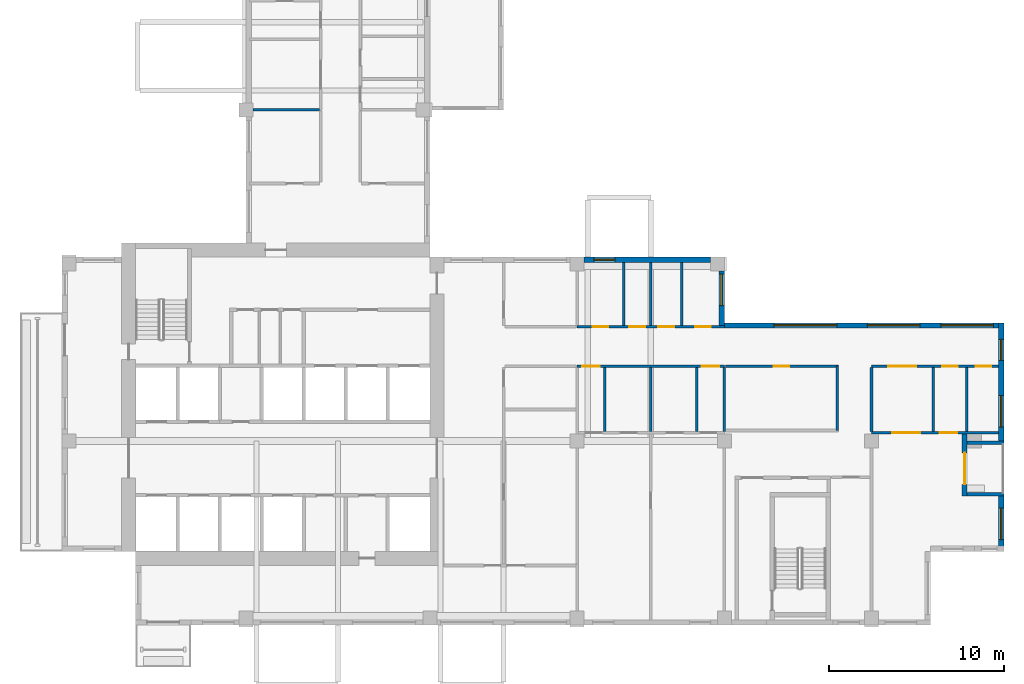
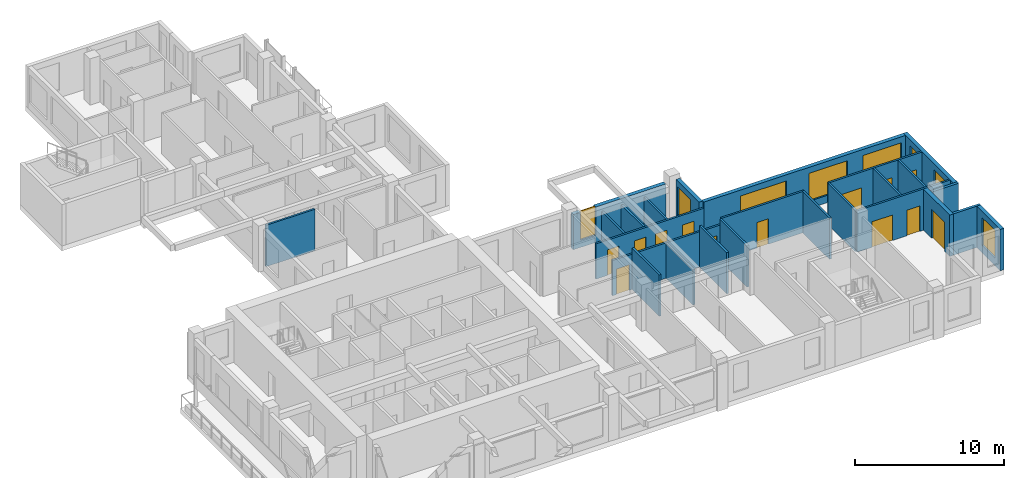
# One storey, part 5 of 12: 25 walls, 13 doors, 8 windows, 21 openings.
"""IFC4 building model written with IfcOpenShell, lengths in metres."""

from ifc_helpers import new_model, si_unit, direction, frame, frame_2d, origin, place, context, subcontext, project, spatial, rectangle, extrude, source, transform, mapped, material, layer, layer_set, type_object, element, fill, save


model = new_model("IFC4")

# Units and contexts
model_context = context("Model", 3, precision=1e-05, world=origin(), true_north=direction((0.0, 1.0)))
body_context = subcontext(model_context, "Body", "Model", "MODEL_VIEW")
ifc_project = project(units=[si_unit("LENGTHUNIT", "METRE"), si_unit("AREAUNIT", "SQUARE_METRE"), si_unit("VOLUMEUNIT", "CUBIC_METRE"), si_unit("PLANEANGLEUNIT", "RADIAN"), si_unit("MASSUNIT", "GRAM", prefix="KILO")], contexts=[model_context])

# Site, building, storey
site_placement = place(None, origin())
site = spatial("IfcSite", under=ifc_project, at=site_placement, CompositionType="ELEMENT")
building_placement = place(site_placement, origin())
building = spatial("IfcBuilding", under=site, at=building_placement, Name="Aurelian Terraces", CompositionType="ELEMENT")
storey_placement = place(building_placement, frame((0.0, 0.0, 238.6)))
storey = spatial("IfcBuildingStorey", under=building, at=storey_placement, Name="L54", CompositionType="ELEMENT", Elevation=238.6)

# Walls
ifc_material_1 = material(Name="Gypsum board on steel studs", Category="steel")
ifc_layer_1 = layer(ifc_material_1, 0.15)
ifc_layer_set_1 = layer_set([ifc_layer_1], Name="Partition 150")
wall_type_1 = type_object("IfcWallType", Name="Partition 150", PredefinedType="PARTITIONING", material=ifc_layer_set_1)
wall_1_placement = place(storey_placement, frame((44.25, 11.1, 0.0), z_axis=(0.0, 0.0, 1.0), x_axis=(0.0, 1.0, 0.0)))
element("IfcWall", 1, at=wall_1_placement, inside=storey, type_object=wall_type_1, Name="Partition", PredefinedType="PARTITIONING", context=body_context, shape_type="SweptSolid", body=[
    extrude(rectangle(XDim=3.675, YDim=0.15, at=frame_2d((1.8375, 0.0))), origin(), (0.0, 0.0, 1.0), 3.4),
])
wall_2_placement = place(storey_placement, frame((30.975, 11.05, 0.0), z_axis=(0.0, 0.0, 1.0), x_axis=(0.0, 1.0, 0.0)))
element("IfcWall", 2, at=wall_2_placement, inside=storey, type_object=wall_type_1, Name="Partition", PredefinedType="PARTITIONING", context=body_context, shape_type="SweptSolid", body=[
    extrude(rectangle(XDim=3.65, YDim=0.15, at=frame_2d((1.825, 0.0))), origin(), (0.0, 0.0, 1.0), 3.4),
])
wall_3_placement = place(storey_placement, frame((33.6, 11.05, 0.0), z_axis=(0.0, 0.0, 1.0), x_axis=(0.0, 1.0, 0.0)))
element("IfcWall", 3, at=wall_3_placement, inside=storey, type_object=wall_type_1, Name="Partition", PredefinedType="PARTITIONING", context=body_context, shape_type="SweptSolid", body=[
    extrude(rectangle(XDim=3.65, YDim=0.15, at=frame_2d((1.825, 0.0))), origin(), (0.0, 0.0, 1.0), 2.9),
])

# Wall, opening, window
ifc_material_2 = material(Name="Terracotta rainscreen cladding", Category="masonry")
ifc_layer_2 = layer(ifc_material_2, 0.3)
ifc_layer_set_2 = layer_set([ifc_layer_2], Name="EW-300")
wall_type_2 = type_object("IfcWallType", Name="EW-300", PredefinedType="STANDARD", material=ifc_layer_set_2)
shared_shape_1 = source(origin(), body_context, "Body", "SweptSolid", [
    extrude(rectangle(XDim=3.15, YDim=0.3, at=frame_2d((1.575, 0.0))), origin(), (0.0, 0.0, 1.0), 3.4),
])
wall_4_placement = place(storey_placement, frame((53.61, 4.2, 0.0), z_axis=(0.0, 0.0, 1.0), x_axis=(0.0, 1.0, 0.0)))
wall_4 = element("IfcWall", 4, at=wall_4_placement, inside=storey, type_object=wall_type_2, Name="External wall L54 F04.11", PredefinedType="STANDARD", context=body_context, shape_type="MappedRepresentation", body=[
    mapped(shared_shape_1, transform((0.0, 0.0, 0.0), scale=1.0)),
])
shared_shape_2 = source(origin(), body_context, "Body", "SweptSolid", [
    extrude(rectangle(XDim=1.8, YDim=2.3, at=frame_2d((0.9, 1.15))), frame((0.0, 0.16, 0.0), z_axis=(0.0, -1.0, 0.0), x_axis=(1.0, 0.0, 0.0)), (0.0, 0.0, 1.0), 0.32),
])
opening_1_placement = place(wall_4_placement, frame((0.675, 0.0, 0.6)))
opening_1 = element("IfcOpeningElement", 5, at=opening_1_placement, cuts=wall_4, Name="Opening W1823", PredefinedType="OPENING", context=body_context, shape_type="MappedRepresentation", body=[
    mapped(shared_shape_2, transform((0.0, 0.0, 0.0), scale=1.0)),
])
ifc_material_3 = material(Name="Clear glazing", Category="glass")
window_type_1 = type_object("IfcWindowType", Name="W-1800x2300", PartitioningType="SINGLE_PANEL", PredefinedType="WINDOW", material=ifc_material_3)
shared_shape_3 = source(origin(), body_context, "Body", "SweptSolid", [
    extrude(rectangle(XDim=1.8, YDim=2.3, at=frame_2d((0.9, 1.15))), frame((0.0, 0.03, 0.0), z_axis=(0.0, -1.0, 0.0), x_axis=(1.0, 0.0, 0.0)), (0.0, 0.0, 1.0), 0.06),
])
window_1_placement = place(opening_1_placement, origin())
window_1 = element("IfcWindow", 6, at=window_1_placement, inside=storey, type_object=window_type_1, Name="Window L54 L54-F04-11-0", OverallHeight=2.3, OverallWidth=1.8, PartitioningType="SINGLE_PANEL", PredefinedType="WINDOW", context=body_context, shape_type="MappedRepresentation", body=[
    mapped(shared_shape_3, transform((0.0, 0.0, 0.0), scale=1.0)),
])
fill(opening_1, window_1)

# Wall, openings, windows
shared_shape_4 = source(origin(), body_context, "Body", "SweptSolid", [
    extrude(rectangle(XDim=6.75, YDim=0.3, at=frame_2d((3.375, 0.0))), origin(), (0.0, 0.0, 1.0), 3.4),
])
wall_5_placement = place(storey_placement, frame((53.61, 10.5, 0.0), z_axis=(0.0, 0.0, 1.0), x_axis=(0.0, 1.0, 0.0)))
wall_5 = element("IfcWall", 7, at=wall_5_placement, inside=storey, type_object=wall_type_2, Name="External wall L54 F04.13", PredefinedType="STANDARD", context=body_context, shape_type="MappedRepresentation", body=[
    mapped(shared_shape_4, transform((0.0, 0.0, 0.0), scale=1.0)),
])
opening_2_placement = place(wall_5_placement, frame((0.7875, 0.0, 0.6)))
opening_2 = element("IfcOpeningElement", 8, at=opening_2_placement, cuts=wall_5, Name="Opening W1823", PredefinedType="OPENING", context=body_context, shape_type="MappedRepresentation", body=[
    mapped(shared_shape_2, transform((0.0, 0.0, 0.0), scale=1.0)),
])
shared_shape_5 = source(origin(), body_context, "Body", "SweptSolid", [
    extrude(rectangle(XDim=1.2, YDim=2.3, at=frame_2d((0.6, 1.15))), frame((0.0, 0.16, 0.0), z_axis=(0.0, -1.0, 0.0), x_axis=(1.0, 0.0, 0.0)), (0.0, 0.0, 1.0), 0.32),
])
opening_3_placement = place(wall_5_placement, frame((4.6063, 0.0, 0.6)))
opening_3 = element("IfcOpeningElement", 9, at=opening_3_placement, cuts=wall_5, Name="Opening W1223", PredefinedType="OPENING", context=body_context, shape_type="MappedRepresentation", body=[
    mapped(shared_shape_5, transform((0.0, 0.0, 0.0), scale=1.0)),
])
window_type_2 = type_object("IfcWindowType", Name="W-1200x2300", PartitioningType="SINGLE_PANEL", PredefinedType="WINDOW", material=ifc_material_3)
shared_shape_6 = source(origin(), body_context, "Body", "SweptSolid", [
    extrude(rectangle(XDim=1.2, YDim=2.3, at=frame_2d((0.6, 1.15))), frame((0.0, 0.03, 0.0), z_axis=(0.0, -1.0, 0.0), x_axis=(1.0, 0.0, 0.0)), (0.0, 0.0, 1.0), 0.06),
])
window_2_placement = place(opening_3_placement, origin())
window_2 = element("IfcWindow", 10, at=window_2_placement, inside=storey, type_object=window_type_2, Name="Window L54 L54-F04-13-1", OverallHeight=2.3, OverallWidth=1.2, PartitioningType="SINGLE_PANEL", PredefinedType="WINDOW", context=body_context, shape_type="MappedRepresentation", body=[
    mapped(shared_shape_6, transform((0.0, 0.0, 0.0), scale=1.0)),
])
fill(opening_3, window_2)
window_3_placement = place(opening_2_placement, origin())
window_3 = element("IfcWindow", 11, at=window_3_placement, inside=storey, type_object=window_type_1, Name="Window L54 L54-F04-13-0", OverallHeight=2.3, OverallWidth=1.8, PartitioningType="SINGLE_PANEL", PredefinedType="WINDOW", context=body_context, shape_type="MappedRepresentation", body=[
    mapped(shared_shape_3, transform((0.0, 0.0, 0.0), scale=1.0)),
])
fill(opening_2, window_3)

# Walls
ifc_layer_3 = layer(ifc_material_2, 0.2)
ifc_layer_set_3 = layer_set([ifc_layer_3], Name="EW-200")
wall_type_3 = type_object("IfcWallType", Name="EW-200", PredefinedType="STANDARD", material=ifc_layer_set_3)
shared_shape_7 = source(origin(), body_context, "Body", "SweptSolid", [
    extrude(rectangle(XDim=2.1, YDim=0.2, at=frame_2d((1.05, 0.0))), origin(), (0.0, 0.0, 1.0), 3.4),
])
for number, where, z_axis, x_axis, name in (
    (12, (53.76, 7.45, 0.0), (0.0, 0.0, 1.0), (-1.0, 0.0, 0.0), "Loggia return L54 F04.12.1"),
    (13, (53.76, 10.4, 0.0), (0.0, 0.0, 1.0), (-1.0, 0.0, 0.0), "Loggia return L54 F04.12.2"),
):
    element("IfcWall", number, at=place(storey_placement, frame(where, z_axis=z_axis, x_axis=x_axis)), inside=storey, type_object=wall_type_3, Name=name, PredefinedType="STANDARD", context=body_context, shape_type="MappedRepresentation", body=[
        mapped(shared_shape_7, transform((0.0, 0.0, 0.0), scale=1.0)),
    ])

# Wall, openings, windows
shared_shape_8 = source(origin(), body_context, "Body", "SweptSolid", [
    extrude(rectangle(XDim=15.96, YDim=0.3, at=frame_2d((7.98, 0.0))), origin(), (0.0, 0.0, 1.0), 3.4),
])
wall_6_placement = place(storey_placement, frame((53.76, 17.1, 0.0), z_axis=(0.0, 0.0, 1.0), x_axis=(-1.0, 0.0, 0.0)))
wall_6 = element("IfcWall", 14, at=wall_6_placement, inside=storey, type_object=wall_type_2, Name="External wall L54 F05.14", PredefinedType="STANDARD", context=body_context, shape_type="MappedRepresentation", body=[
    mapped(shared_shape_8, transform((0.0, 0.0, 0.0), scale=1.0)),
])
shared_shape_9 = source(origin(), body_context, "Body", "SweptSolid", [
    extrude(rectangle(XDim=3.0, YDim=2.3, at=frame_2d((1.5, 1.15))), frame((0.0, 0.16, 0.0), z_axis=(0.0, -1.0, 0.0), x_axis=(1.0, 0.0, 0.0)), (0.0, 0.0, 1.0), 0.32),
])
opening_4_placement = place(wall_6_placement, frame((0.6, 0.0, 0.6)))
opening_4 = element("IfcOpeningElement", 15, at=opening_4_placement, cuts=wall_6, Name="Opening W3023", PredefinedType="OPENING", context=body_context, shape_type="MappedRepresentation", body=[
    mapped(shared_shape_9, transform((0.0, 0.0, 0.0), scale=1.0)),
])
opening_5_placement = place(wall_6_placement, frame((4.8, 0.0, 0.6)))
opening_5 = element("IfcOpeningElement", 16, at=opening_5_placement, cuts=wall_6, Name="Opening W3023", PredefinedType="OPENING", context=body_context, shape_type="MappedRepresentation", body=[
    mapped(shared_shape_9, transform((0.0, 0.0, 0.0), scale=1.0)),
])
shared_shape_10 = source(origin(), body_context, "Body", "SweptSolid", [
    extrude(rectangle(XDim=3.6, YDim=2.3, at=frame_2d((1.8, 1.15))), frame((0.0, 0.16, 0.0), z_axis=(0.0, -1.0, 0.0), x_axis=(1.0, 0.0, 0.0)), (0.0, 0.0, 1.0), 0.32),
])
opening_6_placement = place(wall_6_placement, frame((9.54, 0.0, 0.6)))
opening_6 = element("IfcOpeningElement", 17, at=opening_6_placement, cuts=wall_6, Name="Opening W3623", PredefinedType="OPENING", context=body_context, shape_type="MappedRepresentation", body=[
    mapped(shared_shape_10, transform((0.0, 0.0, 0.0), scale=1.0)),
])
window_type_3 = type_object("IfcWindowType", Name="W-3600x2300", PartitioningType="SINGLE_PANEL", PredefinedType="WINDOW", material=ifc_material_3)
shared_shape_11 = source(origin(), body_context, "Body", "SweptSolid", [
    extrude(rectangle(XDim=3.6, YDim=2.3, at=frame_2d((1.8, 1.15))), frame((0.0, 0.03, 0.0), z_axis=(0.0, -1.0, 0.0), x_axis=(1.0, 0.0, 0.0)), (0.0, 0.0, 1.0), 0.06),
])
window_4_placement = place(opening_6_placement, origin())
window_4 = element("IfcWindow", 18, at=window_4_placement, inside=storey, type_object=window_type_3, Name="Window L54 L54-F05-14-2", OverallHeight=2.3, OverallWidth=3.6, PartitioningType="SINGLE_PANEL", PredefinedType="WINDOW", context=body_context, shape_type="MappedRepresentation", body=[
    mapped(shared_shape_11, transform((0.0, 0.0, 0.0), scale=1.0)),
])
fill(opening_6, window_4)
window_type_4 = type_object("IfcWindowType", Name="W-3000x2300", PartitioningType="SINGLE_PANEL", PredefinedType="WINDOW", material=ifc_material_3)
shared_shape_12 = source(origin(), body_context, "Body", "SweptSolid", [
    extrude(rectangle(XDim=3.0, YDim=2.3, at=frame_2d((1.5, 1.15))), frame((0.0, 0.03, 0.0), z_axis=(0.0, -1.0, 0.0), x_axis=(1.0, 0.0, 0.0)), (0.0, 0.0, 1.0), 0.06),
])
window_5_placement = place(opening_4_placement, origin())
window_5 = element("IfcWindow", 19, at=window_5_placement, inside=storey, type_object=window_type_4, Name="Window L54 L54-F05-14-0", OverallHeight=2.3, OverallWidth=3.0, PartitioningType="SINGLE_PANEL", PredefinedType="WINDOW", context=body_context, shape_type="MappedRepresentation", body=[
    mapped(shared_shape_12, transform((0.0, 0.0, 0.0), scale=1.0)),
])
fill(opening_4, window_5)
window_6_placement = place(opening_5_placement, origin())
window_6 = element("IfcWindow", 20, at=window_6_placement, inside=storey, type_object=window_type_4, Name="Window L54 L54-F05-14-1", OverallHeight=2.3, OverallWidth=3.0, PartitioningType="SINGLE_PANEL", PredefinedType="WINDOW", context=body_context, shape_type="MappedRepresentation", body=[
    mapped(shared_shape_12, transform((0.0, 0.0, 0.0), scale=1.0)),
])
fill(opening_5, window_6)

# Wall, opening, window
shared_shape_13 = source(origin(), body_context, "Body", "SweptSolid", [
    extrude(rectangle(XDim=3.1, YDim=0.3, at=frame_2d((1.55, 0.0))), origin(), (0.0, 0.0, 1.0), 3.4),
])
wall_7_placement = place(storey_placement, frame((37.65, 17.1, 0.0), z_axis=(0.0, 0.0, 1.0), x_axis=(0.0, 1.0, 0.0)))
wall_7 = element("IfcWall", 21, at=wall_7_placement, inside=storey, type_object=wall_type_2, Name="External wall L54 F06.15", PredefinedType="STANDARD", context=body_context, shape_type="MappedRepresentation", body=[
    mapped(shared_shape_13, transform((0.0, 0.0, 0.0), scale=1.0)),
])
opening_7_placement = place(wall_7_placement, frame((1.125, 0.0, 0.6)))
opening_7 = element("IfcOpeningElement", 22, at=opening_7_placement, cuts=wall_7, Name="Opening W1823", PredefinedType="OPENING", context=body_context, shape_type="MappedRepresentation", body=[
    mapped(shared_shape_2, transform((0.0, 0.0, 0.0), scale=1.0)),
])
window_7_placement = place(opening_7_placement, origin())
window_7 = element("IfcWindow", 23, at=window_7_placement, inside=storey, type_object=window_type_1, Name="Window L54 L54-F06-15-0", OverallHeight=2.3, OverallWidth=1.8, PartitioningType="SINGLE_PANEL", PredefinedType="WINDOW", context=body_context, shape_type="MappedRepresentation", body=[
    mapped(shared_shape_3, transform((0.0, 0.0, 0.0), scale=1.0)),
])
fill(opening_7, window_7)

# Wall, opening, door
shared_shape_14 = source(origin(), body_context, "Body", "SweptSolid", [
    extrude(rectangle(XDim=3.55, YDim=0.3, at=frame_2d((1.775, 0.0))), origin(), (0.0, 0.0, 1.0), 3.4),
])
wall_8_placement = place(storey_placement, frame((51.51, 7.35, 0.0), z_axis=(0.0, 0.0, 1.0), x_axis=(0.0, 1.0, 0.0)))
wall_8 = element("IfcWall", 24, at=wall_8_placement, inside=storey, type_object=wall_type_2, Name="Loggia wall L54 F04.12", PredefinedType="STANDARD", context=body_context, shape_type="MappedRepresentation", body=[
    mapped(shared_shape_14, transform((0.0, 0.0, 0.0), scale=1.0)),
])
shared_shape_15 = source(origin(), body_context, "Body", "SweptSolid", [
    extrude(rectangle(XDim=1.8, YDim=2.4, at=frame_2d((0.9, 1.2))), frame((0.0, 0.16, 0.0), z_axis=(0.0, -1.0, 0.0), x_axis=(1.0, 0.0, 0.0)), (0.0, 0.0, 1.0), 0.32),
])
opening_8_placement = place(wall_8_placement, frame((0.675, 0.0, 0.0)))
opening_8 = element("IfcOpeningElement", 25, at=opening_8_placement, cuts=wall_8, Name="Opening 85402", PredefinedType="OPENING", context=body_context, shape_type="MappedRepresentation", body=[
    mapped(shared_shape_15, transform((0.0, 0.0, 0.0), scale=1.0)),
])
door_type_1 = type_object("IfcDoorType", Name="BD-1800x2400", OperationType="SLIDING_TO_LEFT", PredefinedType="DOOR", material=ifc_material_3)
shared_shape_16 = source(origin(), body_context, "Body", "SweptSolid", [
    extrude(rectangle(XDim=1.8, YDim=2.4, at=frame_2d((0.9, 1.2))), frame((0.0, 0.025, 0.0), z_axis=(0.0, -1.0, 0.0), x_axis=(1.0, 0.0, 0.0)), (0.0, 0.0, 1.0), 0.05),
])
door_1_placement = place(opening_8_placement, origin())
door_1 = element("IfcDoor", 26, at=door_1_placement, inside=storey, type_object=door_type_1, Name="Balcony door L54 F04.12", OperationType="SLIDING_TO_LEFT", OverallHeight=2.4, OverallWidth=1.8, PredefinedType="DOOR", context=body_context, shape_type="MappedRepresentation", body=[
    mapped(shared_shape_16, transform((0.0, 0.0, 0.0), scale=1.0)),
])
fill(opening_8, door_1)

# Wall, opening, window
shared_shape_17 = source(origin(), body_context, "Body", "SweptSolid", [
    extrude(rectangle(XDim=7.2, YDim=0.3, at=frame_2d((3.6, 0.0))), origin(), (0.0, 0.0, 1.0), 2.9),
])
wall_9_placement = place(storey_placement, frame((37.0, 20.85, 0.0), z_axis=(0.0, 0.0, 1.0), x_axis=(-1.0, 0.0, 0.0)))
wall_9 = element("IfcWall", 27, at=wall_9_placement, inside=storey, type_object=wall_type_2, Name="External wall L54 F07.16", PredefinedType="STANDARD", context=body_context, shape_type="MappedRepresentation", body=[
    mapped(shared_shape_17, transform((0.0, 0.0, 0.0), scale=1.0)),
])
opening_9_placement = place(wall_9_placement, frame((5.454, 0.0, 0.6)))
opening_9 = element("IfcOpeningElement", 28, at=opening_9_placement, cuts=wall_9, Name="Opening W1223", PredefinedType="OPENING", context=body_context, shape_type="MappedRepresentation", body=[
    mapped(shared_shape_5, transform((0.0, 0.0, 0.0), scale=1.0)),
])
window_8_placement = place(opening_9_placement, origin())
window_8 = element("IfcWindow", 29, at=window_8_placement, inside=storey, type_object=window_type_2, Name="Window L54 L54-F07-16-1", OverallHeight=2.3, OverallWidth=1.2, PartitioningType="SINGLE_PANEL", PredefinedType="WINDOW", context=body_context, shape_type="MappedRepresentation", body=[
    mapped(shared_shape_6, transform((0.0, 0.0, 0.0), scale=1.0)),
])
fill(opening_9, window_8)

# Wall, opening, door
ifc_layer_4 = layer(ifc_material_1, 0.15)
ifc_layer_set_4 = layer_set([ifc_layer_4], Name="Fire partition 150")
wall_type_4 = type_object("IfcWallType", Name="Fire partition 150", PredefinedType="PARTITIONING", material=ifc_layer_set_4)
shared_shape_18 = source(origin(), body_context, "Body", "SweptSolid", [
    extrude(rectangle(XDim=6.45, YDim=0.15, at=frame_2d((3.225, 0.0))), origin(), (0.0, 0.0, 1.0), 3.4),
])
wall_10_placement = place(storey_placement, frame((44.325, 14.775, 0.0), z_axis=(0.0, 0.0, 1.0), x_axis=(-1.0, 0.0, 0.0)))
wall_10 = element("IfcWall", 30, at=wall_10_placement, inside=storey, type_object=wall_type_4, Name="Corridor wall", PredefinedType="PARTITIONING", context=body_context, shape_type="MappedRepresentation", body=[
    mapped(shared_shape_18, transform((0.0, 0.0, 0.0), scale=1.0)),
])
shared_shape_19 = source(origin(), body_context, "Body", "SweptSolid", [
    extrude(rectangle(XDim=0.9, YDim=2.1, at=frame_2d((0.45, 1.05))), frame((0.0, 0.085, 0.0), z_axis=(0.0, -1.0, 0.0), x_axis=(1.0, 0.0, 0.0)), (0.0, 0.0, 1.0), 0.17),
])
opening_10_placement = place(wall_10_placement, frame((2.8125, 0.0, 0.0)))
opening_10 = element("IfcOpeningElement", 31, at=opening_10_placement, cuts=wall_10, Name="Opening 754005", PredefinedType="OPENING", context=body_context, shape_type="MappedRepresentation", body=[
    mapped(shared_shape_19, transform((0.0, 0.0, 0.0), scale=1.0)),
])
ifc_material_4 = material(Name="Timber door leaf", Category="wood")
door_type_2 = type_object("IfcDoorType", Name="Room door 900x2100 right", OperationType="SINGLE_SWING_RIGHT", PredefinedType="DOOR", material=ifc_material_4)
shared_shape_20 = source(origin(), body_context, "Body", "SweptSolid", [
    extrude(rectangle(XDim=0.9, YDim=2.1, at=frame_2d((0.45, 1.05))), frame((0.0, 0.025, 0.0), z_axis=(0.0, -1.0, 0.0), x_axis=(1.0, 0.0, 0.0)), (0.0, 0.0, 1.0), 0.05),
])
door_2_placement = place(opening_10_placement, origin())
door_2 = element("IfcDoor", 32, at=door_2_placement, inside=storey, type_object=door_type_2, Name="Door 754005", OperationType="SINGLE_SWING_RIGHT", OverallHeight=2.1, OverallWidth=0.9, PredefinedType="DOOR", context=body_context, shape_type="MappedRepresentation", body=[
    mapped(shared_shape_20, transform((0.0, 0.0, 0.0), scale=1.0)),
])
fill(opening_10, door_2)

# Wall, openings, doors
shared_shape_21 = source(origin(), body_context, "Body", "SweptSolid", [
    extrude(rectangle(XDim=7.26, YDim=0.15, at=frame_2d((3.63, 0.0))), origin(), (0.0, 0.0, 1.0), 3.4),
])
wall_11_placement = place(storey_placement, frame((53.46, 10.975, 0.0), z_axis=(0.0, 0.0, 1.0), x_axis=(-1.0, 0.0, 0.0)))
wall_11 = element("IfcWall", 33, at=wall_11_placement, inside=storey, type_object=wall_type_1, Name="Partition", PredefinedType="PARTITIONING", context=body_context, shape_type="MappedRepresentation", body=[
    mapped(shared_shape_21, transform((0.0, 0.0, 0.0), scale=1.0)),
])
shared_shape_22 = source(origin(), body_context, "Body", "SweptSolid", [
    extrude(rectangle(XDim=1.6, YDim=2.1, at=frame_2d((0.8, 1.05))), frame((0.0, 0.085, 0.0), z_axis=(0.0, -1.0, 0.0), x_axis=(1.0, 0.0, 0.0)), (0.0, 0.0, 1.0), 0.17),
])
opening_11_placement = place(wall_11_placement, frame((4.4911, 0.0, 0.0)))
opening_11 = element("IfcOpeningElement", 34, at=opening_11_placement, cuts=wall_11, Name="Opening 754015", PredefinedType="OPENING", context=body_context, shape_type="MappedRepresentation", body=[
    mapped(shared_shape_22, transform((0.0, 0.0, 0.0), scale=1.0)),
])
shared_shape_23 = source(origin(), body_context, "Body", "SweptSolid", [
    extrude(rectangle(XDim=1.0, YDim=2.1, at=frame_2d((0.5, 1.05))), frame((0.0, 0.085, 0.0), z_axis=(0.0, -1.0, 0.0), x_axis=(1.0, 0.0, 0.0)), (0.0, 0.0, 1.0), 0.17),
])
opening_12_placement = place(wall_11_placement, frame((2.3722, 0.0, 0.0)))
opening_12 = element("IfcOpeningElement", 35, at=opening_12_placement, cuts=wall_11, Name="Opening 754016", PredefinedType="OPENING", context=body_context, shape_type="MappedRepresentation", body=[
    mapped(shared_shape_23, transform((0.0, 0.0, 0.0), scale=1.0)),
])
door_type_3 = type_object("IfcDoorType", Name="Room door 1000x2100 left", OperationType="SINGLE_SWING_LEFT", PredefinedType="DOOR", material=ifc_material_4)
shared_shape_24 = source(origin(), body_context, "Body", "SweptSolid", [
    extrude(rectangle(XDim=1.0, YDim=2.1, at=frame_2d((0.5, 1.05))), frame((0.0, 0.025, 0.0), z_axis=(0.0, -1.0, 0.0), x_axis=(1.0, 0.0, 0.0)), (0.0, 0.0, 1.0), 0.05),
])
door_3_placement = place(opening_12_placement, origin())
door_3 = element("IfcDoor", 36, at=door_3_placement, inside=storey, type_object=door_type_3, Name="Door 754016", OperationType="SINGLE_SWING_LEFT", OverallHeight=2.1, OverallWidth=1.0, PredefinedType="DOOR", context=body_context, shape_type="MappedRepresentation", body=[
    mapped(shared_shape_24, transform((0.0, 0.0, 0.0), scale=1.0)),
])
fill(opening_12, door_3)
door_type_4 = type_object("IfcDoorType", Name="Room door 1600x2100 right", OperationType="SINGLE_SWING_RIGHT", PredefinedType="DOOR", material=ifc_material_4)
shared_shape_25 = source(origin(), body_context, "Body", "SweptSolid", [
    extrude(rectangle(XDim=1.6, YDim=2.1, at=frame_2d((0.8, 1.05))), frame((0.0, 0.025, 0.0), z_axis=(0.0, -1.0, 0.0), x_axis=(1.0, 0.0, 0.0)), (0.0, 0.0, 1.0), 0.05),
])
door_4_placement = place(opening_11_placement, origin())
door_4 = element("IfcDoor", 37, at=door_4_placement, inside=storey, type_object=door_type_4, Name="Door 754015", OperationType="SINGLE_SWING_RIGHT", OverallHeight=2.1, OverallWidth=1.6, PredefinedType="DOOR", context=body_context, shape_type="MappedRepresentation", body=[
    mapped(shared_shape_25, transform((0.0, 0.0, 0.0), scale=1.0)),
])
fill(opening_11, door_4)

wall_12_placement = place(storey_placement, frame((53.46, 14.775, 0.0), z_axis=(0.0, 0.0, 1.0), x_axis=(-1.0, 0.0, 0.0)))
wall_12 = element("IfcWall", 38, at=wall_12_placement, inside=storey, type_object=wall_type_4, Name="Corridor wall", PredefinedType="PARTITIONING", context=body_context, shape_type="MappedRepresentation", body=[
    mapped(shared_shape_21, transform((0.0, 0.0, 0.0), scale=1.0)),
])
opening_13_placement = place(wall_12_placement, frame((4.7036, 0.0, 0.0)))
opening_13 = element("IfcOpeningElement", 39, at=opening_13_placement, cuts=wall_12, Name="Opening 754014", PredefinedType="OPENING", context=body_context, shape_type="MappedRepresentation", body=[
    mapped(shared_shape_22, transform((0.0, 0.0, 0.0), scale=1.0)),
])
opening_14_placement = place(wall_12_placement, frame((0.4235, 0.0, 0.0)))
opening_14 = element("IfcOpeningElement", 40, at=opening_14_placement, cuts=wall_12, Name="Opening 754017", PredefinedType="OPENING", context=body_context, shape_type="MappedRepresentation", body=[
    mapped(shared_shape_19, transform((0.0, 0.0, 0.0), scale=1.0)),
])
opening_15_placement = place(wall_12_placement, frame((2.3346, 0.0, 0.0)))
opening_15 = element("IfcOpeningElement", 41, at=opening_15_placement, cuts=wall_12, Name="Opening 754018", PredefinedType="OPENING", context=body_context, shape_type="MappedRepresentation", body=[
    mapped(shared_shape_19, transform((0.0, 0.0, 0.0), scale=1.0)),
])
ifc_material_5 = material(Name="Steel door leaf", Category="steel")
door_type_5 = type_object("IfcDoorType", Name="Entrance fire door 900x2100 right", OperationType="SINGLE_SWING_RIGHT", PredefinedType="DOOR", material=ifc_material_5)
door_5_placement = place(opening_14_placement, origin())
door_5 = element("IfcDoor", 42, at=door_5_placement, inside=storey, type_object=door_type_5, Name="Door 754017", OperationType="SINGLE_SWING_RIGHT", OverallHeight=2.1, OverallWidth=0.9, PredefinedType="DOOR", context=body_context, shape_type="MappedRepresentation", body=[
    mapped(shared_shape_20, transform((0.0, 0.0, 0.0), scale=1.0)),
])
fill(opening_14, door_5)
door_type_6 = type_object("IfcDoorType", Name="Entrance fire door 900x2100 left", OperationType="SINGLE_SWING_LEFT", PredefinedType="DOOR", material=ifc_material_5)
door_6_placement = place(opening_15_placement, origin())
door_6 = element("IfcDoor", 43, at=door_6_placement, inside=storey, type_object=door_type_6, Name="Door 754018", OperationType="SINGLE_SWING_LEFT", OverallHeight=2.1, OverallWidth=0.9, PredefinedType="DOOR", context=body_context, shape_type="MappedRepresentation", body=[
    mapped(shared_shape_20, transform((0.0, 0.0, 0.0), scale=1.0)),
])
fill(opening_15, door_6)
door_type_7 = type_object("IfcDoorType", Name="Entrance fire door 1600x2100 left", OperationType="SINGLE_SWING_LEFT", PredefinedType="DOOR", material=ifc_material_5)
door_7_placement = place(opening_13_placement, origin())
door_7 = element("IfcDoor", 44, at=door_7_placement, inside=storey, type_object=door_type_7, Name="Door 754014", OperationType="SINGLE_SWING_LEFT", OverallHeight=2.1, OverallWidth=1.6, PredefinedType="DOOR", context=body_context, shape_type="MappedRepresentation", body=[
    mapped(shared_shape_25, transform((0.0, 0.0, 0.0), scale=1.0)),
])
fill(opening_13, door_7)

# Walls
shared_shape_26 = source(origin(), body_context, "Body", "SweptSolid", [
    extrude(rectangle(XDim=3.6, YDim=0.15, at=frame_2d((1.8, 0.0))), origin(), (0.0, 0.0, 1.0), 2.4),
])
for number, where, z_axis, x_axis, name in (
    (45, (32.067, 20.7, 0.0), (0.0, 0.0, 1.0), (0.0, -1.0, 0.0), "Partition"),
    (46, (35.3634, 20.7, 0.0), (0.0, 0.0, 1.0), (0.0, -1.0, 0.0), "Partition"),
):
    element("IfcWall", number, at=place(storey_placement, frame(where, z_axis=z_axis, x_axis=x_axis)), inside=storey, type_object=wall_type_1, Name=name, PredefinedType="PARTITIONING", context=body_context, shape_type="MappedRepresentation", body=[
        mapped(shared_shape_26, transform((0.0, 0.0, 0.0), scale=1.0)),
    ])
wall_13_placement = place(storey_placement, frame((33.6, 17.1, 0.0), z_axis=(0.0, 0.0, 1.0), x_axis=(0.0, 1.0, 0.0)))
element("IfcWall", 47, at=wall_13_placement, inside=storey, type_object=wall_type_4, Name="Party wall", PredefinedType="PARTITIONING", context=body_context, shape_type="MappedRepresentation", body=[
    mapped(shared_shape_26, transform((0.0, 0.0, 0.0), scale=1.0)),
])

# Wall, openings, doors
shared_shape_27 = source(origin(), body_context, "Body", "SweptSolid", [
    extrude(rectangle(XDim=8.4, YDim=0.15, at=frame_2d((4.2, 0.0))), origin(), (0.0, 0.0, 1.0), 2.9),
])
wall_14_placement = place(storey_placement, frame((37.8, 14.775, 0.0), z_axis=(0.0, 0.0, 1.0), x_axis=(-1.0, 0.0, 0.0)))
wall_14 = element("IfcWall", 48, at=wall_14_placement, inside=storey, type_object=wall_type_4, Name="Corridor wall", PredefinedType="PARTITIONING", context=body_context, shape_type="MappedRepresentation", body=[
    mapped(shared_shape_27, transform((0.0, 0.0, 0.0), scale=1.0)),
])
opening_16_placement = place(wall_14_placement, frame((7.1125, 0.0, 0.0)))
opening_16 = element("IfcOpeningElement", 49, at=opening_16_placement, cuts=wall_14, Name="Opening 754007", PredefinedType="OPENING", context=body_context, shape_type="MappedRepresentation", body=[
    mapped(shared_shape_23, transform((0.0, 0.0, 0.0), scale=1.0)),
])
opening_17_placement = place(wall_14_placement, frame((0.2875, 0.0, 0.0)))
opening_17 = element("IfcOpeningElement", 50, at=opening_17_placement, cuts=wall_14, Name="Opening 754011", PredefinedType="OPENING", context=body_context, shape_type="MappedRepresentation", body=[
    mapped(shared_shape_23, transform((0.0, 0.0, 0.0), scale=1.0)),
])
door_type_8 = type_object("IfcDoorType", Name="Entrance fire door 1000x2100 left", OperationType="SINGLE_SWING_LEFT", PredefinedType="DOOR", material=ifc_material_5)
door_8_placement = place(opening_16_placement, origin())
door_8 = element("IfcDoor", 51, at=door_8_placement, inside=storey, type_object=door_type_8, Name="Door 754007", OperationType="SINGLE_SWING_LEFT", OverallHeight=2.1, OverallWidth=1.0, PredefinedType="DOOR", context=body_context, shape_type="MappedRepresentation", body=[
    mapped(shared_shape_24, transform((0.0, 0.0, 0.0), scale=1.0)),
])
fill(opening_16, door_8)
door_9_placement = place(opening_17_placement, origin())
door_9 = element("IfcDoor", 52, at=door_9_placement, inside=storey, type_object=door_type_8, Name="Door 754011", OperationType="SINGLE_SWING_LEFT", OverallHeight=2.1, OverallWidth=1.0, PredefinedType="DOOR", context=body_context, shape_type="MappedRepresentation", body=[
    mapped(shared_shape_24, transform((0.0, 0.0, 0.0), scale=1.0)),
])
fill(opening_17, door_9)

wall_15_placement = place(storey_placement, frame((29.4, 17.025, 0.0), z_axis=(0.0, 0.0, 1.0), x_axis=(1.0, 0.0, 0.0)))
wall_15 = element("IfcWall", 53, at=wall_15_placement, inside=storey, type_object=wall_type_4, Name="Corridor wall", PredefinedType="PARTITIONING", context=body_context, shape_type="MappedRepresentation", body=[
    mapped(shared_shape_27, transform((0.0, 0.0, 0.0), scale=1.0)),
])
opening_18_placement = place(wall_15_placement, frame((0.8835, 0.0, 0.0)))
opening_18 = element("IfcOpeningElement", 54, at=opening_18_placement, cuts=wall_15, Name="Opening 754019", PredefinedType="OPENING", context=body_context, shape_type="MappedRepresentation", body=[
    mapped(shared_shape_19, transform((0.0, 0.0, 0.0), scale=1.0)),
])
opening_19_placement = place(wall_15_placement, frame((2.9835, 0.0, 0.0)))
opening_19 = element("IfcOpeningElement", 55, at=opening_19_placement, cuts=wall_15, Name="Opening 754020", PredefinedType="OPENING", context=body_context, shape_type="MappedRepresentation", body=[
    mapped(shared_shape_19, transform((0.0, 0.0, 0.0), scale=1.0)),
])
opening_20_placement = place(wall_15_placement, frame((4.6317, 0.0, 0.0)))
opening_20 = element("IfcOpeningElement", 56, at=opening_20_placement, cuts=wall_15, Name="Opening 754021", PredefinedType="OPENING", context=body_context, shape_type="MappedRepresentation", body=[
    mapped(shared_shape_19, transform((0.0, 0.0, 0.0), scale=1.0)),
])
opening_21_placement = place(wall_15_placement, frame((6.7317, 0.0, 0.0)))
opening_21 = element("IfcOpeningElement", 57, at=opening_21_placement, cuts=wall_15, Name="Opening 754022", PredefinedType="OPENING", context=body_context, shape_type="MappedRepresentation", body=[
    mapped(shared_shape_19, transform((0.0, 0.0, 0.0), scale=1.0)),
])
door_10_placement = place(opening_18_placement, origin())
door_10 = element("IfcDoor", 58, at=door_10_placement, inside=storey, type_object=door_type_6, Name="Door 754019", OperationType="SINGLE_SWING_LEFT", OverallHeight=2.1, OverallWidth=0.9, PredefinedType="DOOR", context=body_context, shape_type="MappedRepresentation", body=[
    mapped(shared_shape_20, transform((0.0, 0.0, 0.0), scale=1.0)),
])
fill(opening_18, door_10)
door_11_placement = place(opening_19_placement, origin())
door_11 = element("IfcDoor", 59, at=door_11_placement, inside=storey, type_object=door_type_5, Name="Door 754020", OperationType="SINGLE_SWING_RIGHT", OverallHeight=2.1, OverallWidth=0.9, PredefinedType="DOOR", context=body_context, shape_type="MappedRepresentation", body=[
    mapped(shared_shape_20, transform((0.0, 0.0, 0.0), scale=1.0)),
])
fill(opening_19, door_11)
door_12_placement = place(opening_20_placement, origin())
door_12 = element("IfcDoor", 60, at=door_12_placement, inside=storey, type_object=door_type_6, Name="Door 754021", OperationType="SINGLE_SWING_LEFT", OverallHeight=2.1, OverallWidth=0.9, PredefinedType="DOOR", context=body_context, shape_type="MappedRepresentation", body=[
    mapped(shared_shape_20, transform((0.0, 0.0, 0.0), scale=1.0)),
])
fill(opening_20, door_12)
door_13_placement = place(opening_21_placement, origin())
door_13 = element("IfcDoor", 61, at=door_13_placement, inside=storey, type_object=door_type_5, Name="Door 754022", OperationType="SINGLE_SWING_RIGHT", OverallHeight=2.1, OverallWidth=0.9, PredefinedType="DOOR", context=body_context, shape_type="MappedRepresentation", body=[
    mapped(shared_shape_20, transform((0.0, 0.0, 0.0), scale=1.0)),
])
fill(opening_21, door_13)

# Walls
shared_shape_28 = source(origin(), body_context, "Body", "SweptSolid", [
    extrude(rectangle(XDim=3.65, YDim=0.15, at=frame_2d((1.825, 0.0))), origin(), (0.0, 0.0, 1.0), 3.4),
])
wall_16_placement = place(storey_placement, frame((36.225, 11.05, 0.0), z_axis=(0.0, 0.0, 1.0), x_axis=(0.0, 1.0, 0.0)))
element("IfcWall", 62, at=wall_16_placement, inside=storey, type_object=wall_type_1, Name="Partition", PredefinedType="PARTITIONING", context=body_context, shape_type="MappedRepresentation", body=[
    mapped(shared_shape_28, transform((0.0, 0.0, 0.0), scale=1.0)),
])
wall_17_placement = place(storey_placement, frame((37.8, 11.05, 0.0), z_axis=(0.0, 0.0, 1.0), x_axis=(0.0, 1.0, 0.0)))
element("IfcWall", 63, at=wall_17_placement, inside=storey, type_object=wall_type_4, Name="Party wall", PredefinedType="PARTITIONING", context=body_context, shape_type="MappedRepresentation", body=[
    mapped(shared_shape_28, transform((0.0, 0.0, 0.0), scale=1.0)),
])
for number, where, z_axis, x_axis, name in (
    (64, (49.7128, 11.05, 0.0), (0.0, 0.0, 1.0), (0.0, 1.0, 0.0), "Partition"),
    (65, (51.638, 11.05, 0.0), (0.0, 0.0, 1.0), (0.0, 1.0, 0.0), "Partition"),
):
    element("IfcWall", number, at=place(storey_placement, frame(where, z_axis=z_axis, x_axis=x_axis)), inside=storey, type_object=wall_type_1, Name=name, PredefinedType="PARTITIONING", context=body_context, shape_type="MappedRepresentation", body=[
        mapped(shared_shape_28, transform((0.0, 0.0, 0.0), scale=1.0)),
    ])
wall_18_placement = place(storey_placement, frame((46.2, 11.05, 0.0), z_axis=(0.0, 0.0, 1.0), x_axis=(0.0, 1.0, 0.0)))
element("IfcWall", 66, at=wall_18_placement, inside=storey, type_object=wall_type_4, Name="Party wall", PredefinedType="PARTITIONING", context=body_context, shape_type="MappedRepresentation", body=[
    mapped(shared_shape_28, transform((0.0, 0.0, 0.0), scale=1.0)),
])
shared_shape_29 = source(origin(), body_context, "Body", "SweptSolid", [
    extrude(rectangle(XDim=3.801, YDim=0.15, at=frame_2d((1.9005, 0.0))), origin(), (0.0, 0.0, 1.0), 3.4),
])
wall_19_placement = place(storey_placement, frame((14.7, 29.4, 0.0), z_axis=(0.0, 0.0, 1.0), x_axis=(-1.0, 0.0, 0.0)))
element("IfcWall", 67, at=wall_19_placement, inside=storey, type_object=wall_type_1, Name="Partition", PredefinedType="PARTITIONING", context=body_context, shape_type="MappedRepresentation", body=[
    mapped(shared_shape_29, transform((0.0, 0.0, 0.0), scale=1.0)),
])

save(model, "model.ifc")
